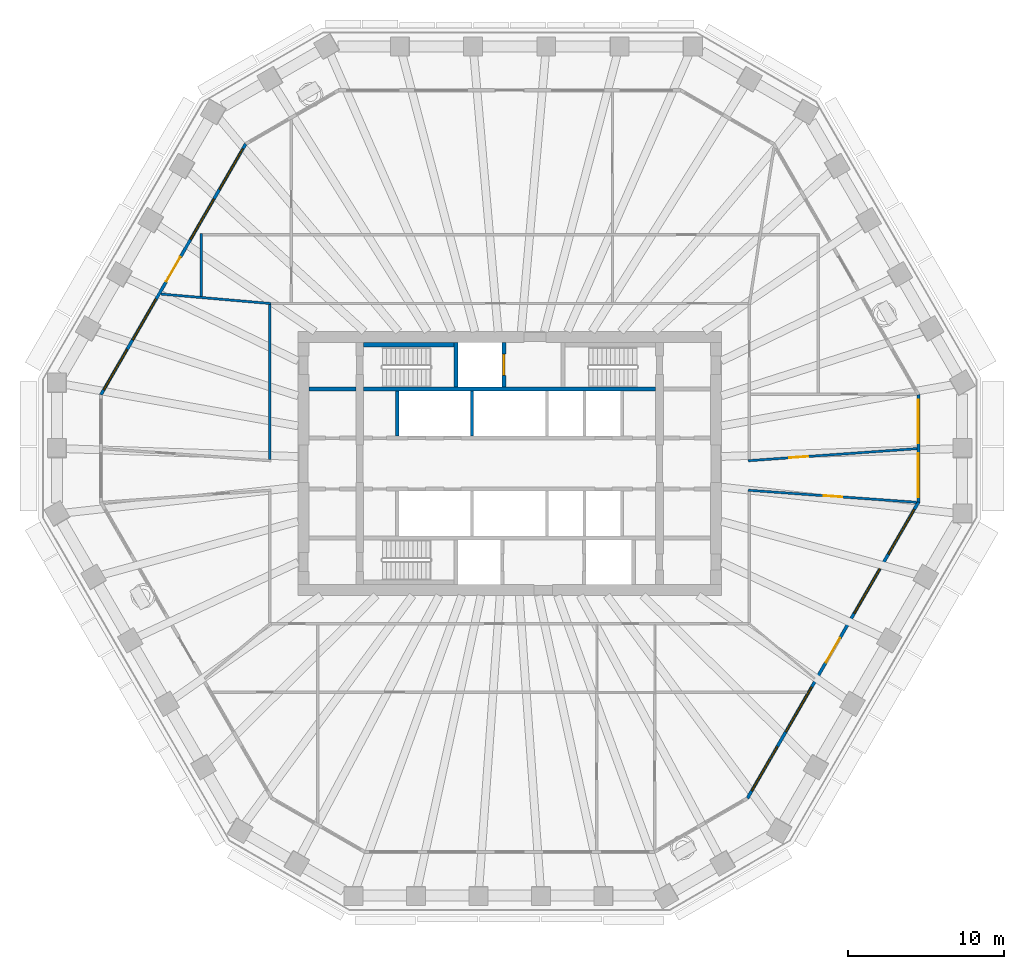
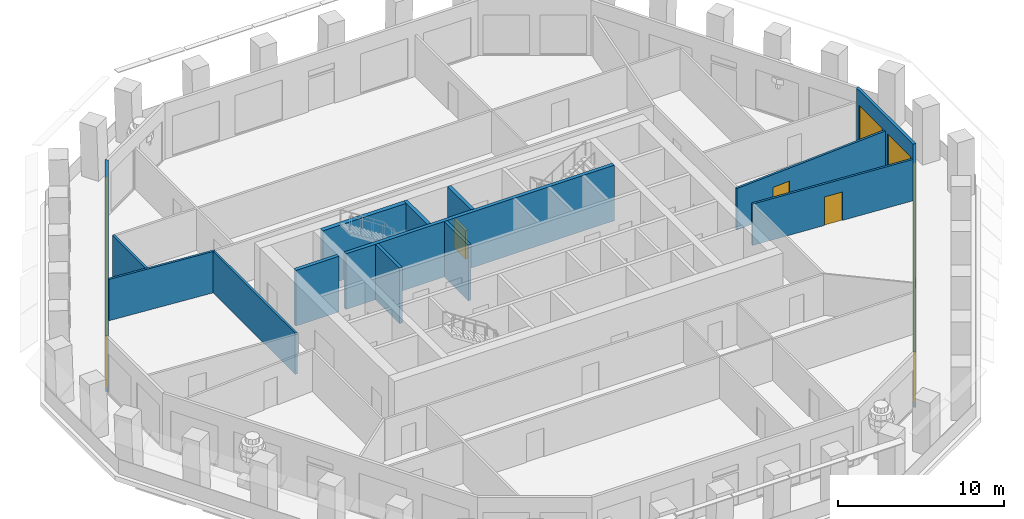
# One storey, part 6 of 12: 15 walls, 12 windows, 5 doors, 17 openings.
"""IFC4 building model written with IfcOpenShell, lengths in metres."""

from ifc_helpers import new_model, si_unit, direction, frame, frame_2d, origin, place, context, subcontext, project, spatial, polyline, rectangle, outline, extrude, material, layer, layer_set, type_object, element, fill, save


model = new_model("IFC4")

# Units and contexts
model_context = context("Model", 3, precision=1e-05, world=origin(), true_north=direction((0.0, 1.0)))
body_context = subcontext(model_context, "Body", "Model", "MODEL_VIEW")
ifc_project = project(units=[si_unit("LENGTHUNIT", "METRE"), si_unit("AREAUNIT", "SQUARE_METRE"), si_unit("VOLUMEUNIT", "CUBIC_METRE"), si_unit("PLANEANGLEUNIT", "RADIAN"), si_unit("MASSUNIT", "GRAM", prefix="KILO")], contexts=[model_context])

# Site, building, storey
site_placement = place(None, origin())
site = spatial("IfcSite", under=ifc_project, at=site_placement, CompositionType="ELEMENT")
building_placement = place(site_placement, origin())
building = spatial("IfcBuilding", under=site, at=building_placement, Name="Frailejon Research Tower", CompositionType="ELEMENT")
storey_placement = place(building_placement, frame((0.0, 0.0, 176.0)))
storey = spatial("IfcBuildingStorey", under=building, at=storey_placement, Name="L38", CompositionType="ELEMENT", Elevation=176.0)

# Wall
ifc_material_1 = material(Name="Gypsum board and masonry partition", Category="masonry")
ifc_layer_1 = layer(ifc_material_1, 0.14990234375)
ifc_layer_set_1 = layer_set([ifc_layer_1], Name="Corridor wall EI 60, gypsum on steel studs 150")
wall_type_1 = type_object("IfcWallType", Name="Corridor wall EI 60, gypsum on steel studs 150", PredefinedType="PARTITIONING", material=ifc_layer_set_1)
wall_1_placement = place(storey_placement, frame((-15.35009765625, 0.260986328125, 0.0), z_axis=(0.0, 0.0, 1.0), x_axis=(0.0, 1.0, 0.0)))
element("IfcWall", 1, at=wall_1_placement, inside=storey, type_object=wall_type_1, Name="T:IW:L38:005", PredefinedType="PARTITIONING", context=body_context, shape_type="SweptSolid", body=[
    extrude(rectangle(XDim=9.9140625, YDim=0.14990234375, at=frame_2d((4.95703125, 0.0))), origin(), (0.0, 0.0, 1.0), 3.050048828125),
])

# Wall, opening, door
wall_2_placement = place(storey_placement, frame((15.275146484375, 0.180419921875, 0.0), z_axis=(0.0, 0.0, 1.0), x_axis=(0.997445401141, 0.071432987776, 0.0)))
wall_2 = element("IfcWall", 2, at=wall_2_placement, inside=storey, type_object=wall_type_1, Name="T:IW:L38:009", PredefinedType="PARTITIONING", context=body_context, shape_type="SweptSolid", body=[
    extrude(rectangle(XDim=10.823974609375, YDim=0.14990234375, at=frame_2d((5.412109375, 0.0))), origin(), (0.0, 0.0, 1.0), 3.050048828125),
])
opening_1_placement = place(wall_2_placement, frame((2.63720703125, 0.0, 0.0)))
opening_1 = element("IfcOpeningElement", 3, at=opening_1_placement, cuts=wall_2, Name="Opening D1823", PredefinedType="OPENING", context=body_context, shape_type="SweptSolid", body=[
    extrude(rectangle(XDim=1.199951171875, YDim=2.10009765625, at=frame_2d((0.60009765625, 1.050048828125))), frame((0.0, 0.0849609375, 0.0), z_axis=(0.0, -1.0, 0.0), x_axis=(1.0, 0.0, 0.0)), (0.0, 0.0, 1.0), 0.169921875),
])
ifc_material_2 = material(Name="Timber door leaf", Category="wood")
door_type_1 = type_object("IfcDoorType", Name="Door laboratory, timber, vision panel 1200", OperationType="NOTDEFINED", PredefinedType="DOOR", material=ifc_material_2)
door_1_placement = place(opening_1_placement, origin())
door_1 = element("IfcDoor", 4, at=door_1_placement, inside=storey, type_object=door_type_1, Name="D1823", OperationType="DOUBLE_DOOR_SINGLE_SWING", OverallHeight=2.10009765625, OverallWidth=1.199951171875, PredefinedType="DOOR", context=body_context, shape_type="SweptSolid", body=[
    extrude(rectangle(XDim=1.199951171875, YDim=2.10009765625, at=frame_2d((0.60009765625, 1.050048828125))), frame((0.0, 0.02490234375, 0.0), z_axis=(0.0, -1.0, 0.0), x_axis=(1.0, 0.0, 0.0)), (0.0, 0.0, 1.0), 0.050048828125),
])
fill(opening_1, door_1)

wall_3_placement = place(storey_placement, frame((15.275146484375, -1.708740234375, 0.0), z_axis=(0.0, 0.0, 1.0), x_axis=(0.997446409399, -0.071418907704, 0.0)))
wall_3 = element("IfcWall", 5, at=wall_3_placement, inside=storey, type_object=wall_type_1, Name="T:IW:L38:010", PredefinedType="PARTITIONING", context=body_context, shape_type="SweptSolid", body=[
    extrude(rectangle(XDim=10.80224609375, YDim=0.14990234375, at=frame_2d((5.401123046875, 0.0))), origin(), (0.0, 0.0, 1.0), 3.050048828125),
])
opening_2_placement = place(wall_3_placement, frame((4.838623046875, 0.0, 0.0)))
opening_2 = element("IfcOpeningElement", 6, at=opening_2_placement, cuts=wall_3, Name="Opening D1842", PredefinedType="OPENING", context=body_context, shape_type="SweptSolid", body=[
    extrude(rectangle(XDim=1.199951171875, YDim=2.10009765625, at=frame_2d((0.60009765625, 1.050048828125))), frame((0.0, 0.0849609375, 0.0), z_axis=(0.0, -1.0, 0.0), x_axis=(1.0, 0.0, 0.0)), (0.0, 0.0, 1.0), 0.169921875),
])
ifc_material_3 = material(Name="Timber door leaf", Category="wood")
door_type_2 = type_object("IfcDoorType", Name="Door single leaf, timber, steel frame 1200", OperationType="NOTDEFINED", PredefinedType="DOOR", material=ifc_material_3)
door_2_placement = place(opening_2_placement, origin())
door_2 = element("IfcDoor", 7, at=door_2_placement, inside=storey, type_object=door_type_2, Name="D1842", OperationType="DOUBLE_DOOR_SINGLE_SWING", OverallHeight=2.10009765625, OverallWidth=1.199951171875, PredefinedType="DOOR", context=body_context, shape_type="SweptSolid", body=[
    extrude(rectangle(XDim=1.199951171875, YDim=2.10009765625, at=frame_2d((0.60009765625, 1.050048828125))), frame((0.0, 0.02490234375, 0.0), z_axis=(0.0, -1.0, 0.0), x_axis=(1.0, 0.0, 0.0)), (0.0, 0.0, 1.0), 0.050048828125),
])
fill(opening_2, door_2)

# Walls
ifc_material_4 = material(Name="Gypsum board and masonry partition", Category="masonry")
ifc_layer_2 = layer(ifc_material_4, 0.14990234375)
ifc_layer_set_2 = layer_set([ifc_layer_2], Name="Laboratory partition, blockwork 150")
wall_type_2 = type_object("IfcWallType", Name="Laboratory partition, blockwork 150", PredefinedType="PARTITIONING", material=ifc_layer_set_2)
wall_4_placement = place(storey_placement, frame((-19.75, 10.705810546875, 0.0), z_axis=(0.0, 0.0, 1.0), x_axis=(0.0, 1.0, 0.0)))
element("IfcWall", 8, at=wall_4_placement, inside=storey, type_object=wall_type_2, Name="T:IW:L38:017", PredefinedType="PARTITIONING", context=body_context, shape_type="SweptSolid", body=[
    extrude(rectangle(XDim=4.019287109375, YDim=0.14990234375, at=frame_2d((2.009765625, 0.0))), origin(), (0.0, 0.0, 1.0), 3.050048828125),
])
wall_5_placement = place(storey_placement, frame((-22.332763671875, 10.8544921875, 0.0), z_axis=(0.0, 0.0, 1.0), x_axis=(0.996272205844, -0.086265241334, 0.0)))
element("IfcWall", 9, at=wall_5_placement, inside=storey, type_object=wall_type_2, Name="T:IW:L38:018", PredefinedType="PARTITIONING", context=body_context, shape_type="SweptSolid", body=[
    extrude(rectangle(XDim=7.083740234375, YDim=0.14990234375, at=frame_2d((3.5419921875, 0.0))), origin(), (0.0, 0.0, 1.0), 3.050048828125),
])
ifc_material_5 = material(Name="Concrete C60/75", Category="concrete")
ifc_layer_3 = layer(ifc_material_5, 0.199951171875)
ifc_layer_set_3 = layer_set([ifc_layer_3], Name="Shaft wall 200 C60/75")
wall_type_3 = type_object("IfcWallType", Name="Shaft wall 200 C60/75", PredefinedType="SOLIDWALL", material=ifc_layer_set_3)
for number, where, z_axis, x_axis, name in (
    (10, (-7.199951171875, 1.75, 0.0), (0.0, 0.0, 1.0), (0.0, 1.0, 0.0), "Shaft wall"),
    (11, (-2.39990234375, 1.75, 0.0), (0.0, 0.0, 1.0), (0.0, 1.0, 0.0), "Shaft wall"),
):
    element("IfcWall", number, at=place(storey_placement, frame(where, z_axis=z_axis, x_axis=x_axis)), inside=storey, type_object=wall_type_3, Name=name, PredefinedType="SOLIDWALL", context=body_context, shape_type="SweptSolid", body=[
        extrude(rectangle(XDim=2.89990234375, YDim=0.199951171875, at=frame_2d((1.449951171875, 0.0))), origin(), (0.0, 0.0, 1.0), 4.10009765625),
    ])
ifc_material_6 = material(Name="Concrete C60/75", Category="concrete")
ifc_layer_4 = layer(ifc_material_6, 0.25)
ifc_layer_set_4 = layer_set([ifc_layer_4], Name="Shaft wall 250 C60/75")
wall_type_4 = type_object("IfcWallType", Name="Shaft wall 250 C60/75", PredefinedType="SOLIDWALL", material=ifc_layer_set_4)
wall_6_placement = place(storey_placement, frame((-12.85009765625, 4.77490234375, 0.0), z_axis=(0.0, 0.0, 1.0), x_axis=(1.0, 0.0, 0.0)))
element("IfcWall", 12, at=wall_6_placement, inside=storey, type_object=wall_type_4, Name="Shaft wall", PredefinedType="SOLIDWALL", context=body_context, shape_type="SweptSolid", body=[
    extrude(rectangle(XDim=3.0, YDim=0.25, at=frame_2d((1.5, 0.0))), origin(), (0.0, 0.0, 1.0), 4.10009765625),
])
wall_7_placement = place(storey_placement, frame((-9.35009765625, 4.77490234375, 0.0), z_axis=(0.0, 0.0, 1.0), x_axis=(1.0, 0.0, 0.0)))
element("IfcWall", 13, at=wall_7_placement, inside=storey, type_object=wall_type_4, Name="Shaft wall", PredefinedType="SOLIDWALL", context=body_context, shape_type="SweptSolid", body=[
    extrude(rectangle(XDim=18.7001953125, YDim=0.25, at=frame_2d((9.35009765625, 0.0))), origin(), (0.0, 0.0, 1.0), 4.10009765625),
])
wall_8_placement = place(storey_placement, frame((-3.425048828125, 4.89990234375, 0.0), z_axis=(0.0, 0.0, 1.0), x_axis=(0.0, 1.0, 0.0)))
element("IfcWall", 14, at=wall_8_placement, inside=storey, type_object=wall_type_4, Name="Shaft wall", PredefinedType="SOLIDWALL", context=body_context, shape_type="SweptSolid", body=[
    extrude(rectangle(XDim=2.85009765625, YDim=0.25, at=frame_2d((1.425048828125, 0.0))), origin(), (0.0, 0.0, 1.0), 4.10009765625),
])

# Wall, opening, door
wall_9_placement = place(storey_placement, frame((-0.375, 4.89990234375, 0.0), z_axis=(0.0, 0.0, 1.0), x_axis=(0.0, 1.0, 0.0)))
wall_9 = element("IfcWall", 15, at=wall_9_placement, inside=storey, type_object=wall_type_4, Name="Shaft wall", PredefinedType="SOLIDWALL", context=body_context, shape_type="SweptSolid", body=[
    extrude(rectangle(XDim=2.85009765625, YDim=0.25, at=frame_2d((1.425048828125, 0.0))), origin(), (0.0, 0.0, 1.0), 4.10009765625),
])
opening_3_placement = place(wall_9_placement, frame((0.72509765625, 0.0, 0.0)))
opening_3 = element("IfcOpeningElement", 16, at=opening_3_placement, cuts=wall_9, Name="Opening LD2", PredefinedType="OPENING", context=body_context, shape_type="SweptSolid", body=[
    extrude(rectangle(XDim=1.39990234375, YDim=2.10009765625, at=frame_2d((0.699951171875, 1.050048828125))), frame((0.0, 0.135009765625, 0.0), z_axis=(0.0, -1.0, 0.0), x_axis=(1.0, 0.0, 0.0)), (0.0, 0.0, 1.0), 0.27001953125),
])
ifc_material_7 = material(Name="Stainless steel", Category="steel")
door_type_3 = type_object("IfcDoorType", Name="Goods landing door", OperationType="DOUBLE_DOOR_SLIDING", PredefinedType="DOOR", material=ifc_material_7)
door_3_placement = place(opening_3_placement, origin())
door_3 = element("IfcDoor", 17, at=door_3_placement, inside=storey, type_object=door_type_3, Name="Lift landing door", OperationType="DOUBLE_DOOR_SLIDING", OverallHeight=2.10009765625, OverallWidth=1.39990234375, PredefinedType="DOOR", context=body_context, shape_type="SweptSolid", body=[
    extrude(rectangle(XDim=1.39990234375, YDim=2.10009765625, at=frame_2d((0.699951171875, 1.050048828125))), frame((0.0, 0.074951171875, 0.0), z_axis=(0.0, -1.0, 0.0), x_axis=(1.0, 0.0, 0.0)), (0.0, 0.0, 1.0), 0.14990234375),
])
fill(opening_3, door_3)

# Wall
ifc_material_8 = material(Name="Concrete C60/75", Category="concrete")
ifc_layer_5 = layer(ifc_material_8, 0.300048828125)
ifc_layer_set_5 = layer_set([ifc_layer_5], Name="Shaft wall 300 C60/75")
wall_type_5 = type_object("IfcWallType", Name="Shaft wall 300 C60/75", PredefinedType="SOLIDWALL", material=ifc_layer_set_5)
wall_10_placement = place(storey_placement, frame((-9.35009765625, 7.60009765625, 0.0), z_axis=(0.0, 0.0, 1.0), x_axis=(1.0, 0.0, 0.0)))
element("IfcWall", 18, at=wall_10_placement, inside=storey, type_object=wall_type_5, Name="Shaft wall", PredefinedType="SOLIDWALL", context=body_context, shape_type="SweptSolid", body=[
    extrude(rectangle(XDim=5.800048828125, YDim=0.300048828125, at=frame_2d((2.89990234375, 0.0))), origin(), (0.0, 0.0, 1.0), 4.10009765625),
])

# Wall, openings, windows
ifc_material_9 = material(Name="Concrete C40/50 precast window wall panel", Category="concrete")
ifc_layer_6 = layer(ifc_material_9, 0.199951171875)
ifc_layer_set_6 = layer_set([ifc_layer_6], Name="Window wall 200")
wall_type_6 = type_object("IfcWallType", Name="Window wall 200", PredefinedType="SOLIDWALL", material=ifc_layer_set_6)
wall_11_placement = place(storey_placement, frame((26.171630859375, -2.469482421875, 0.0), z_axis=(0.0, 0.0, 1.0), x_axis=(0.0, 1.0, 0.0)))
wall_11 = element("IfcWall", 19, at=wall_11_placement, inside=storey, type_object=wall_type_6, Name="Exterior wall L38", PredefinedType="SOLIDWALL", context=body_context, shape_type="SweptSolid", body=[
    extrude(outline(polyline([(-0.02685546875, -0.10009765625), (1.1279296875, -0.10009765625), (2.28271484375, -0.10009765625), (3.4375, -0.10009765625), (4.592041015625, -0.10009765625), (5.746826171875, -0.10009765625), (6.901611328125, -0.10009765625), (6.847900390625, 0.10009765625), (5.7109375, 0.10009765625), (4.57421875, 0.10009765625), (3.4375, 0.10009765625), (2.300537109375, 0.10009765625), (1.16357421875, 0.10009765625), (0.02685546875, 0.10009765625), (-0.02685546875, -0.10009765625)])), origin(), (0.0, 0.0, 1.0), 4.10009765625),
])
opening_4_placement = place(wall_11_placement, frame((0.318603515625, 0.0, 0.10009765625)))
opening_4 = element("IfcOpeningElement", 20, at=opening_4_placement, cuts=wall_11, Name="Opening W3", PredefinedType="OPENING", context=body_context, shape_type="SweptSolid", body=[
    extrude(rectangle(XDim=2.800048828125, YDim=2.89990234375, at=frame_2d((1.39990234375, 1.449951171875))), frame((0.0, 0.10986328125, 0.0), z_axis=(0.0, -1.0, 0.0), x_axis=(1.0, 0.0, 0.0)), (0.0, 0.0, 1.0), 0.219970703125),
])
opening_5_placement = place(wall_11_placement, frame((3.756103515625, 0.0, 0.10009765625)))
opening_5 = element("IfcOpeningElement", 21, at=opening_5_placement, cuts=wall_11, Name="Opening W3", PredefinedType="OPENING", context=body_context, shape_type="SweptSolid", body=[
    extrude(rectangle(XDim=2.800048828125, YDim=2.89990234375, at=frame_2d((1.39990234375, 1.449951171875))), frame((0.0, 0.10986328125, 0.0), z_axis=(0.0, -1.0, 0.0), x_axis=(1.0, 0.0, 0.0)), (0.0, 0.0, 1.0), 0.219970703125),
])
ifc_material_10 = material(Name="Aluminium framed double glazing", Category="aluminium")
window_type_1 = type_object("IfcWindowType", Name="Window 2800x2900", PartitioningType="SINGLE_PANEL", PredefinedType="WINDOW", material=ifc_material_10)
window_1_placement = place(opening_4_placement, origin())
window_1 = element("IfcWindow", 22, at=window_1_placement, inside=storey, type_object=window_type_1, Name="Window L38", OverallHeight=2.89990234375, OverallWidth=2.800048828125, PartitioningType="SINGLE_PANEL", PredefinedType="WINDOW", context=body_context, shape_type="SweptSolid", body=[
    extrude(rectangle(XDim=2.800048828125, YDim=2.89990234375, at=frame_2d((1.39990234375, 1.449951171875))), frame((0.0, 0.030029296875, 0.0), z_axis=(0.0, -1.0, 0.0), x_axis=(1.0, 0.0, 0.0)), (0.0, 0.0, 1.0), 0.06005859375),
])
fill(opening_4, window_1)
window_2_placement = place(opening_5_placement, origin())
window_2 = element("IfcWindow", 23, at=window_2_placement, inside=storey, type_object=window_type_1, Name="Window L38", OverallHeight=2.89990234375, OverallWidth=2.800048828125, PartitioningType="SINGLE_PANEL", PredefinedType="WINDOW", context=body_context, shape_type="SweptSolid", body=[
    extrude(rectangle(XDim=2.800048828125, YDim=2.89990234375, at=frame_2d((1.39990234375, 1.449951171875))), frame((0.0, 0.030029296875, 0.0), z_axis=(0.0, -1.0, 0.0), x_axis=(1.0, 0.0, 0.0)), (0.0, 0.0, 1.0), 0.06005859375),
])
fill(opening_5, window_2)

# Wall, openings, door, windows
wall_12_placement = place(storey_placement, frame((-16.90087890625, 20.462646484375, 0.0), z_axis=(0.0, 0.0, 1.0), x_axis=(-0.500000942564, -0.866024859594, 0.0)))
wall_12 = element("IfcWall", 24, at=wall_12_placement, inside=storey, type_object=wall_type_6, Name="Exterior wall L38", PredefinedType="SOLIDWALL", context=body_context, shape_type="SweptSolid", body=[
    extrude(outline(polyline([(-0.02685546875, -0.10009765625), (1.006103515625, -0.10009765625), (2.039306640625, -0.10009765625), (3.072265625, -0.10009765625), (4.10546875, -0.10009765625), (5.138427734375, -0.10009765625), (6.171630859375, -0.10009765625), (7.20458984375, -0.10009765625), (8.23779296875, -0.10009765625), (9.270751953125, -0.10009765625), (10.3037109375, -0.10009765625), (11.3369140625, -0.10009765625), (12.369873046875, -0.10009765625), (13.403076171875, -0.10009765625), (14.43603515625, -0.10009765625), (15.46923828125, -0.10009765625), (16.502197265625, -0.10009765625), (17.535400390625, -0.10009765625), (18.568359375, -0.10009765625), (18.5146484375, 0.10009765625), (17.487548828125, 0.10009765625), (16.46044921875, 0.10009765625), (15.433349609375, 0.10009765625), (14.40625, 0.10009765625), (13.379150390625, 0.10009765625), (12.35205078125, 0.10009765625), (11.324951171875, 0.10009765625), (10.2978515625, 0.10009765625), (9.270751953125, 0.10009765625), (8.24365234375, 0.10009765625), (7.216552734375, 0.10009765625), (6.189453125, 0.10009765625), (5.162353515625, 0.10009765625), (4.13525390625, 0.10009765625), (3.108154296875, 0.10009765625), (2.0810546875, 0.10009765625), (1.053955078125, 0.10009765625), (0.02685546875, 0.10009765625), (-0.02685546875, -0.10009765625)])), origin(), (0.0, 0.0, 1.0), 4.10009765625),
])
opening_6_placement = place(wall_12_placement, frame((0.354248046875, 0.0, 0.10009765625)))
opening_6 = element("IfcOpeningElement", 25, at=opening_6_placement, cuts=wall_12, Name="Opening W4", PredefinedType="OPENING", context=body_context, shape_type="SweptSolid", body=[
    extrude(rectangle(XDim=3.0, YDim=2.89990234375, at=frame_2d((1.5, 1.449951171875))), frame((0.0, 0.10986328125, 0.0), z_axis=(0.0, -1.0, 0.0), x_axis=(1.0, 0.0, 0.0)), (0.0, 0.0, 1.0), 0.219970703125),
])
opening_7_placement = place(wall_12_placement, frame((4.0625, 0.0, 0.10009765625)))
opening_7 = element("IfcOpeningElement", 26, at=opening_7_placement, cuts=wall_12, Name="Opening W4", PredefinedType="OPENING", context=body_context, shape_type="SweptSolid", body=[
    extrude(rectangle(XDim=3.0, YDim=2.89990234375, at=frame_2d((1.5, 1.449951171875))), frame((0.0, 0.10986328125, 0.0), z_axis=(0.0, -1.0, 0.0), x_axis=(1.0, 0.0, 0.0)), (0.0, 0.0, 1.0), 0.219970703125),
])
opening_8_placement = place(wall_12_placement, frame((8.370849609375, 0.0, 0.0)))
opening_8 = element("IfcOpeningElement", 27, at=opening_8_placement, cuts=wall_12, Name="Opening LG38-3", PredefinedType="OPENING", context=body_context, shape_type="SweptSolid", body=[
    extrude(rectangle(XDim=1.800048828125, YDim=2.39990234375, at=frame_2d((0.89990234375, 1.199951171875))), frame((0.0, 0.10986328125, 0.0), z_axis=(0.0, -1.0, 0.0), x_axis=(1.0, 0.0, 0.0)), (0.0, 0.0, 1.0), 0.219970703125),
])
opening_9_placement = place(wall_12_placement, frame((8.370849609375, 0.0, 2.550048828125)))
opening_9 = element("IfcOpeningElement", 28, at=opening_9_placement, cuts=wall_12, Name="Opening W1", PredefinedType="OPENING", context=body_context, shape_type="SweptSolid", body=[
    extrude(rectangle(XDim=1.800048828125, YDim=0.449951171875, at=frame_2d((0.89990234375, 0.22509765625))), frame((0.0, 0.10986328125, 0.0), z_axis=(0.0, -1.0, 0.0), x_axis=(1.0, 0.0, 0.0)), (0.0, 0.0, 1.0), 0.219970703125),
])
opening_10_placement = place(wall_12_placement, frame((11.47900390625, 0.0, 0.10009765625)))
opening_10 = element("IfcOpeningElement", 29, at=opening_10_placement, cuts=wall_12, Name="Opening W4", PredefinedType="OPENING", context=body_context, shape_type="SweptSolid", body=[
    extrude(rectangle(XDim=3.0, YDim=2.89990234375, at=frame_2d((1.5, 1.449951171875))), frame((0.0, 0.10986328125, 0.0), z_axis=(0.0, -1.0, 0.0), x_axis=(1.0, 0.0, 0.0)), (0.0, 0.0, 1.0), 0.219970703125),
])
opening_11_placement = place(wall_12_placement, frame((15.1875, 0.0, 0.10009765625)))
opening_11 = element("IfcOpeningElement", 30, at=opening_11_placement, cuts=wall_12, Name="Opening W4", PredefinedType="OPENING", context=body_context, shape_type="SweptSolid", body=[
    extrude(rectangle(XDim=3.0, YDim=2.89990234375, at=frame_2d((1.5, 1.449951171875))), frame((0.0, 0.10986328125, 0.0), z_axis=(0.0, -1.0, 0.0), x_axis=(1.0, 0.0, 0.0)), (0.0, 0.0, 1.0), 0.219970703125),
])
ifc_material_11 = material(Name="Aluminium framed glazed door leaf", Category="aluminium")
door_type_4 = type_object("IfcDoorType", Name="Loggia door 1800x2400", OperationType="DOUBLE_DOOR_SINGLE_SWING", PredefinedType="DOOR", material=ifc_material_11)
door_4_placement = place(opening_8_placement, origin())
door_4 = element("IfcDoor", 31, at=door_4_placement, inside=storey, type_object=door_type_4, Name="Door LG38-3", OperationType="DOUBLE_DOOR_SINGLE_SWING", OverallHeight=2.39990234375, OverallWidth=1.800048828125, PredefinedType="DOOR", context=body_context, shape_type="SweptSolid", body=[
    extrude(rectangle(XDim=1.800048828125, YDim=2.39990234375, at=frame_2d((0.89990234375, 1.199951171875))), frame((0.0, 0.02490234375, 0.0), z_axis=(0.0, -1.0, 0.0), x_axis=(1.0, 0.0, 0.0)), (0.0, 0.0, 1.0), 0.050048828125),
])
fill(opening_8, door_4)
ifc_material_12 = material(Name="Aluminium framed double glazing", Category="aluminium")
window_type_2 = type_object("IfcWindowType", Name="Window 1800x450", PartitioningType="SINGLE_PANEL", PredefinedType="WINDOW", material=ifc_material_12)
window_3_placement = place(opening_9_placement, origin())
window_3 = element("IfcWindow", 32, at=window_3_placement, inside=storey, type_object=window_type_2, Name="Window L38", OverallHeight=0.449951171875, OverallWidth=1.800048828125, PartitioningType="SINGLE_PANEL", PredefinedType="WINDOW", context=body_context, shape_type="SweptSolid", body=[
    extrude(rectangle(XDim=1.800048828125, YDim=0.449951171875, at=frame_2d((0.89990234375, 0.22509765625))), frame((0.0, 0.030029296875, 0.0), z_axis=(0.0, -1.0, 0.0), x_axis=(1.0, 0.0, 0.0)), (0.0, 0.0, 1.0), 0.06005859375),
])
fill(opening_9, window_3)
ifc_material_13 = material(Name="Aluminium framed double glazing", Category="aluminium")
window_type_3 = type_object("IfcWindowType", Name="Window 3000x2900", PartitioningType="SINGLE_PANEL", PredefinedType="WINDOW", material=ifc_material_13)
window_4_placement = place(opening_6_placement, origin())
window_4 = element("IfcWindow", 33, at=window_4_placement, inside=storey, type_object=window_type_3, Name="Window L38", OverallHeight=2.89990234375, OverallWidth=3.0, PartitioningType="SINGLE_PANEL", PredefinedType="WINDOW", context=body_context, shape_type="SweptSolid", body=[
    extrude(rectangle(XDim=3.0, YDim=2.89990234375, at=frame_2d((1.5, 1.449951171875))), frame((0.0, 0.030029296875, 0.0), z_axis=(0.0, -1.0, 0.0), x_axis=(1.0, 0.0, 0.0)), (0.0, 0.0, 1.0), 0.06005859375),
])
fill(opening_6, window_4)
window_5_placement = place(opening_7_placement, origin())
window_5 = element("IfcWindow", 34, at=window_5_placement, inside=storey, type_object=window_type_3, Name="Window L38", OverallHeight=2.89990234375, OverallWidth=3.0, PartitioningType="SINGLE_PANEL", PredefinedType="WINDOW", context=body_context, shape_type="SweptSolid", body=[
    extrude(rectangle(XDim=3.0, YDim=2.89990234375, at=frame_2d((1.5, 1.449951171875))), frame((0.0, 0.030029296875, 0.0), z_axis=(0.0, -1.0, 0.0), x_axis=(1.0, 0.0, 0.0)), (0.0, 0.0, 1.0), 0.06005859375),
])
fill(opening_7, window_5)
window_6_placement = place(opening_10_placement, origin())
window_6 = element("IfcWindow", 35, at=window_6_placement, inside=storey, type_object=window_type_3, Name="Window L38", OverallHeight=2.89990234375, OverallWidth=3.0, PartitioningType="SINGLE_PANEL", PredefinedType="WINDOW", context=body_context, shape_type="SweptSolid", body=[
    extrude(rectangle(XDim=3.0, YDim=2.89990234375, at=frame_2d((1.5, 1.449951171875))), frame((0.0, 0.030029296875, 0.0), z_axis=(0.0, -1.0, 0.0), x_axis=(1.0, 0.0, 0.0)), (0.0, 0.0, 1.0), 0.06005859375),
])
fill(opening_10, window_6)
window_7_placement = place(opening_11_placement, origin())
window_7 = element("IfcWindow", 36, at=window_7_placement, inside=storey, type_object=window_type_3, Name="Window L38", OverallHeight=2.89990234375, OverallWidth=3.0, PartitioningType="SINGLE_PANEL", PredefinedType="WINDOW", context=body_context, shape_type="SweptSolid", body=[
    extrude(rectangle(XDim=3.0, YDim=2.89990234375, at=frame_2d((1.5, 1.449951171875))), frame((0.0, 0.030029296875, 0.0), z_axis=(0.0, -1.0, 0.0), x_axis=(1.0, 0.0, 0.0)), (0.0, 0.0, 1.0), 0.06005859375),
])
fill(opening_11, window_7)

wall_13_placement = place(storey_placement, frame((15.224365234375, -21.4306640625, 0.0), z_axis=(0.0, 0.0, 1.0), x_axis=(0.500000763912, 0.866024962739, 0.0)))
wall_13 = element("IfcWall", 37, at=wall_13_placement, inside=storey, type_object=wall_type_6, Name="Exterior wall L38", PredefinedType="SOLIDWALL", context=body_context, shape_type="SweptSolid", body=[
    extrude(outline(polyline([(-0.02685546875, -0.10009765625), (1.018310546875, -0.10009765625), (2.0634765625, -0.10009765625), (3.108642578125, -0.10009765625), (4.15380859375, -0.10009765625), (5.198974609375, -0.10009765625), (6.244140625, -0.10009765625), (7.289306640625, -0.10009765625), (8.33447265625, -0.10009765625), (9.379638671875, -0.10009765625), (10.4248046875, -0.10009765625), (11.4697265625, -0.10009765625), (12.514892578125, -0.10009765625), (13.56005859375, -0.10009765625), (14.605224609375, -0.10009765625), (15.650390625, -0.10009765625), (16.695556640625, -0.10009765625), (17.74072265625, -0.10009765625), (18.785888671875, -0.10009765625), (19.8310546875, -0.10009765625), (20.876220703125, -0.10009765625), (21.92138671875, -0.10009765625), (21.86767578125, 0.10009765625), (20.82763671875, 0.10009765625), (19.78759765625, 0.10009765625), (18.74755859375, 0.10009765625), (17.70751953125, 0.10009765625), (16.66748046875, 0.10009765625), (15.62744140625, 0.10009765625), (14.58740234375, 0.10009765625), (13.54736328125, 0.10009765625), (12.50732421875, 0.10009765625), (11.46728515625, 0.10009765625), (10.42724609375, 0.10009765625), (9.38720703125, 0.10009765625), (8.34716796875, 0.10009765625), (7.30712890625, 0.10009765625), (6.26708984375, 0.10009765625), (5.22705078125, 0.10009765625), (4.18701171875, 0.10009765625), (3.14697265625, 0.10009765625), (2.10693359375, 0.10009765625), (1.06689453125, 0.10009765625), (0.02685546875, 0.10009765625), (-0.02685546875, -0.10009765625)])), origin(), (0.0, 0.0, 1.0), 4.10009765625),
])
opening_12_placement = place(wall_13_placement, frame((0.53955078125, 0.0, 0.10009765625)))
opening_12 = element("IfcOpeningElement", 38, at=opening_12_placement, cuts=wall_13, Name="Opening W5", PredefinedType="OPENING", context=body_context, shape_type="SweptSolid", body=[
    extrude(rectangle(XDim=3.300048828125, YDim=2.89990234375, at=frame_2d((1.64990234375, 1.449951171875))), frame((0.0, 0.10986328125, 0.0), z_axis=(0.0, -1.0, 0.0), x_axis=(1.0, 0.0, 0.0)), (0.0, 0.0, 1.0), 0.219970703125),
])
opening_13_placement = place(wall_13_placement, frame((4.91845703125, 0.0, 0.10009765625)))
opening_13 = element("IfcOpeningElement", 39, at=opening_13_placement, cuts=wall_13, Name="Opening W5", PredefinedType="OPENING", context=body_context, shape_type="SweptSolid", body=[
    extrude(rectangle(XDim=3.300048828125, YDim=2.89990234375, at=frame_2d((1.64990234375, 1.449951171875))), frame((0.0, 0.10986328125, 0.0), z_axis=(0.0, -1.0, 0.0), x_axis=(1.0, 0.0, 0.0)), (0.0, 0.0, 1.0), 0.219970703125),
])
opening_14_placement = place(wall_13_placement, frame((10.04736328125, 0.0, 0.0)))
opening_14 = element("IfcOpeningElement", 40, at=opening_14_placement, cuts=wall_13, Name="Opening LG38-6", PredefinedType="OPENING", context=body_context, shape_type="SweptSolid", body=[
    extrude(rectangle(XDim=1.800048828125, YDim=2.39990234375, at=frame_2d((0.89990234375, 1.199951171875))), frame((0.0, 0.10986328125, 0.0), z_axis=(0.0, -1.0, 0.0), x_axis=(1.0, 0.0, 0.0)), (0.0, 0.0, 1.0), 0.219970703125),
])
opening_15_placement = place(wall_13_placement, frame((10.04736328125, 0.0, 2.550048828125)))
opening_15 = element("IfcOpeningElement", 41, at=opening_15_placement, cuts=wall_13, Name="Opening W1", PredefinedType="OPENING", context=body_context, shape_type="SweptSolid", body=[
    extrude(rectangle(XDim=1.800048828125, YDim=0.449951171875, at=frame_2d((0.89990234375, 0.22509765625))), frame((0.0, 0.10986328125, 0.0), z_axis=(0.0, -1.0, 0.0), x_axis=(1.0, 0.0, 0.0)), (0.0, 0.0, 1.0), 0.219970703125),
])
opening_16_placement = place(wall_13_placement, frame((13.67626953125, 0.0, 0.10009765625)))
opening_16 = element("IfcOpeningElement", 42, at=opening_16_placement, cuts=wall_13, Name="Opening W5", PredefinedType="OPENING", context=body_context, shape_type="SweptSolid", body=[
    extrude(rectangle(XDim=3.300048828125, YDim=2.89990234375, at=frame_2d((1.64990234375, 1.449951171875))), frame((0.0, 0.10986328125, 0.0), z_axis=(0.0, -1.0, 0.0), x_axis=(1.0, 0.0, 0.0)), (0.0, 0.0, 1.0), 0.219970703125),
])
opening_17_placement = place(wall_13_placement, frame((18.05517578125, 0.0, 0.10009765625)))
opening_17 = element("IfcOpeningElement", 43, at=opening_17_placement, cuts=wall_13, Name="Opening W5", PredefinedType="OPENING", context=body_context, shape_type="SweptSolid", body=[
    extrude(rectangle(XDim=3.300048828125, YDim=2.89990234375, at=frame_2d((1.64990234375, 1.449951171875))), frame((0.0, 0.10986328125, 0.0), z_axis=(0.0, -1.0, 0.0), x_axis=(1.0, 0.0, 0.0)), (0.0, 0.0, 1.0), 0.219970703125),
])
door_5_placement = place(opening_14_placement, origin())
door_5 = element("IfcDoor", 44, at=door_5_placement, inside=storey, type_object=door_type_4, Name="Door LG38-6", OperationType="DOUBLE_DOOR_SINGLE_SWING", OverallHeight=2.39990234375, OverallWidth=1.800048828125, PredefinedType="DOOR", context=body_context, shape_type="SweptSolid", body=[
    extrude(rectangle(XDim=1.800048828125, YDim=2.39990234375, at=frame_2d((0.89990234375, 1.199951171875))), frame((0.0, 0.02490234375, 0.0), z_axis=(0.0, -1.0, 0.0), x_axis=(1.0, 0.0, 0.0)), (0.0, 0.0, 1.0), 0.050048828125),
])
fill(opening_14, door_5)
window_8_placement = place(opening_15_placement, origin())
window_8 = element("IfcWindow", 45, at=window_8_placement, inside=storey, type_object=window_type_2, Name="Window L38", OverallHeight=0.449951171875, OverallWidth=1.800048828125, PartitioningType="SINGLE_PANEL", PredefinedType="WINDOW", context=body_context, shape_type="SweptSolid", body=[
    extrude(rectangle(XDim=1.800048828125, YDim=0.449951171875, at=frame_2d((0.89990234375, 0.22509765625))), frame((0.0, 0.030029296875, 0.0), z_axis=(0.0, -1.0, 0.0), x_axis=(1.0, 0.0, 0.0)), (0.0, 0.0, 1.0), 0.06005859375),
])
fill(opening_15, window_8)
ifc_material_14 = material(Name="Aluminium framed double glazing", Category="aluminium")
window_type_4 = type_object("IfcWindowType", Name="Window 3300x2900", PartitioningType="SINGLE_PANEL", PredefinedType="WINDOW", material=ifc_material_14)
window_9_placement = place(opening_12_placement, origin())
window_9 = element("IfcWindow", 46, at=window_9_placement, inside=storey, type_object=window_type_4, Name="Window L38", OverallHeight=2.89990234375, OverallWidth=3.300048828125, PartitioningType="SINGLE_PANEL", PredefinedType="WINDOW", context=body_context, shape_type="SweptSolid", body=[
    extrude(rectangle(XDim=3.300048828125, YDim=2.89990234375, at=frame_2d((1.64990234375, 1.449951171875))), frame((0.0, 0.030029296875, 0.0), z_axis=(0.0, -1.0, 0.0), x_axis=(1.0, 0.0, 0.0)), (0.0, 0.0, 1.0), 0.06005859375),
])
fill(opening_12, window_9)
window_10_placement = place(opening_13_placement, origin())
window_10 = element("IfcWindow", 47, at=window_10_placement, inside=storey, type_object=window_type_4, Name="Window L38", OverallHeight=2.89990234375, OverallWidth=3.300048828125, PartitioningType="SINGLE_PANEL", PredefinedType="WINDOW", context=body_context, shape_type="SweptSolid", body=[
    extrude(rectangle(XDim=3.300048828125, YDim=2.89990234375, at=frame_2d((1.64990234375, 1.449951171875))), frame((0.0, 0.030029296875, 0.0), z_axis=(0.0, -1.0, 0.0), x_axis=(1.0, 0.0, 0.0)), (0.0, 0.0, 1.0), 0.06005859375),
])
fill(opening_13, window_10)
window_11_placement = place(opening_16_placement, origin())
window_11 = element("IfcWindow", 48, at=window_11_placement, inside=storey, type_object=window_type_4, Name="Window L38", OverallHeight=2.89990234375, OverallWidth=3.300048828125, PartitioningType="SINGLE_PANEL", PredefinedType="WINDOW", context=body_context, shape_type="SweptSolid", body=[
    extrude(rectangle(XDim=3.300048828125, YDim=2.89990234375, at=frame_2d((1.64990234375, 1.449951171875))), frame((0.0, 0.030029296875, 0.0), z_axis=(0.0, -1.0, 0.0), x_axis=(1.0, 0.0, 0.0)), (0.0, 0.0, 1.0), 0.06005859375),
])
fill(opening_16, window_11)
window_12_placement = place(opening_17_placement, origin())
window_12 = element("IfcWindow", 49, at=window_12_placement, inside=storey, type_object=window_type_4, Name="Window L38", OverallHeight=2.89990234375, OverallWidth=3.300048828125, PartitioningType="SINGLE_PANEL", PredefinedType="WINDOW", context=body_context, shape_type="SweptSolid", body=[
    extrude(rectangle(XDim=3.300048828125, YDim=2.89990234375, at=frame_2d((1.64990234375, 1.449951171875))), frame((0.0, 0.030029296875, 0.0), z_axis=(0.0, -1.0, 0.0), x_axis=(1.0, 0.0, 0.0)), (0.0, 0.0, 1.0), 0.06005859375),
])
fill(opening_17, window_12)

save(model, "model.ifc")
